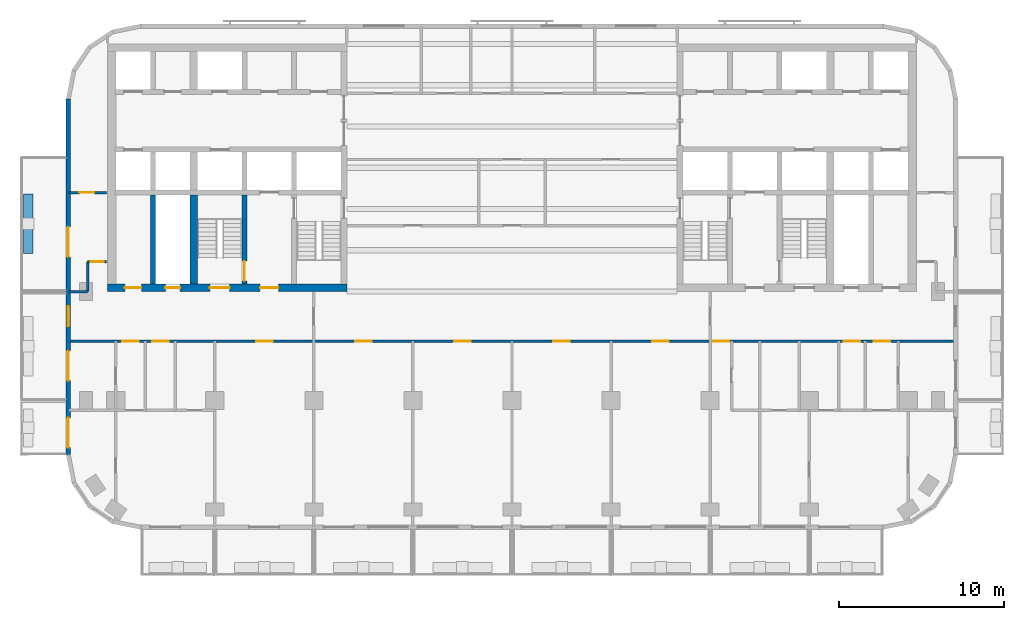
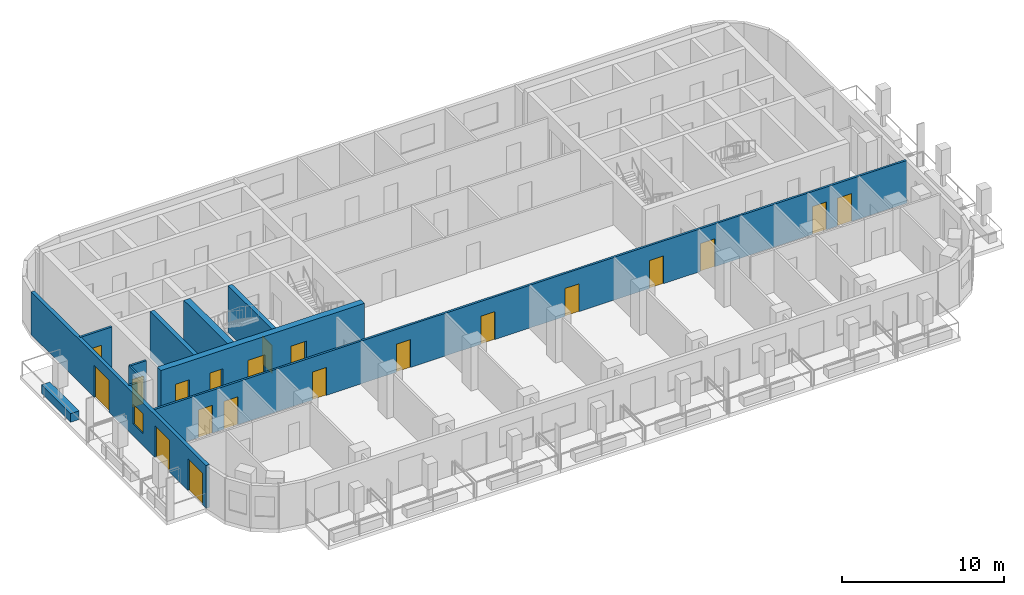
# One storey, part 3 of 11: 20 doors, 11 walls, 1 window, 21 openings.
"""IFC4 building model written with IfcOpenShell, lengths in metres."""

from ifc_helpers import new_model, si_unit, direction, frame, frame_2d, origin, place, context, subcontext, project, spatial, rectangle, extrude, material, layer, layer_set, type_object, element, fill, save


model = new_model("IFC4")

# Units and contexts
model_context = context("Model", 3, precision=1e-05, world=origin(), true_north=direction((0.0, 1.0)))
body_context = subcontext(model_context, "Body", "Model", "MODEL_VIEW")
ifc_project = project(units=[si_unit("LENGTHUNIT", "METRE"), si_unit("AREAUNIT", "SQUARE_METRE"), si_unit("VOLUMEUNIT", "CUBIC_METRE"), si_unit("PLANEANGLEUNIT", "RADIAN"), si_unit("MASSUNIT", "GRAM", prefix="KILO")], contexts=[model_context])

# Site, building, storey
site_placement = place(None, origin())
site = spatial("IfcSite", under=ifc_project, at=site_placement, CompositionType="ELEMENT")
building_placement = place(site_placement, origin())
building = spatial("IfcBuilding", under=site, at=building_placement, Name="Torana Hotel and Residences", CompositionType="ELEMENT")
storey_placement = place(building_placement, frame((0.0, 0.0, 194.10009765625)))
storey = spatial("IfcBuildingStorey", under=building, at=storey_placement, Name="L50", CompositionType="ELEMENT", Elevation=194.10009765625)

# Wall, opening, door
ifc_material_1 = material(Name="Concrete C70/85", Category="concrete")
ifc_layer_1 = layer(ifc_material_1, 0.300048828125)
ifc_layer_set_1 = layer_set([ifc_layer_1], Name="CORE WALL 300 C70/85")
wall_type_1 = type_object("IfcWallType", Name="CORE WALL 300 C70/85", PredefinedType="SHEAR", material=ifc_layer_set_1)
wall_1_placement = place(storey_placement, frame((-16.199951171875, -14.550048828125, 0.0), z_axis=(0.0, 0.0, 1.0), x_axis=(0.0, 1.0, 0.0)))
wall_1 = element("IfcWall", 1, at=wall_1_placement, inside=storey, type_object=wall_type_1, Name="Core wall W x6.05-band", PredefinedType="SHEAR", context=body_context, shape_type="SweptSolid", body=[
    extrude(rectangle(XDim=5.400146484375, YDim=0.300048828125, at=frame_2d((2.7001953125, 0.0))), origin(), (0.0, 0.0, 1.0), 3.5),
])
opening_1_placement = place(wall_1_placement, frame((0.199951171875, 0.0, 0.0)))
opening_1 = element("IfcOpeningElement", 2, at=opening_1_placement, cuts=wall_1, Name="Opening L50-13", PredefinedType="OPENING", context=body_context, shape_type="SweptSolid", body=[
    extrude(rectangle(XDim=1.199951171875, YDim=2.10009765625, at=frame_2d((0.60009765625, 1.050048828125))), frame((0.0, 0.159912109375, 0.0), z_axis=(0.0, -1.0, 0.0), x_axis=(1.0, 0.0, 0.0)), (0.0, 0.0, 1.0), 0.320068359375),
])
ifc_material_2 = material(Name="Steel S235", Category="steel")
door_type_1 = type_object("IfcDoorType", Name="STAIR FIRE DOOR D3 1200x2100", OperationType="SINGLE_SWING_LEFT", PredefinedType="DOOR", material=ifc_material_2)
door_1_placement = place(opening_1_placement, origin())
door_1 = element("IfcDoor", 3, at=door_1_placement, inside=storey, type_object=door_type_1, Name="Stair-B-lobby door L50", OperationType="SINGLE_SWING_RIGHT", OverallHeight=2.10009765625, OverallWidth=1.199951171875, PredefinedType="DOOR", context=body_context, shape_type="SweptSolid", body=[
    extrude(rectangle(XDim=1.199951171875, YDim=2.10009765625, at=frame_2d((0.60009765625, 1.050048828125))), frame((0.0, 0.02490234375, 0.0), z_axis=(0.0, -1.0, 0.0), x_axis=(1.0, 0.0, 0.0)), (0.0, 0.0, 1.0), 0.050048828125),
])
fill(opening_1, door_1)

# Wall
wall_2_placement = place(storey_placement, frame((-21.75, -14.550048828125, 0.0), z_axis=(0.0, 0.0, 1.0), x_axis=(0.0, 1.0, 0.0)))
element("IfcWall", 4, at=wall_2_placement, inside=storey, type_object=wall_type_1, Name="Core wall W mm-band", PredefinedType="SHEAR", context=body_context, shape_type="SweptSolid", body=[
    extrude(rectangle(XDim=5.400146484375, YDim=0.300048828125, at=frame_2d((2.7001953125, 0.0))), origin(), (0.0, 0.0, 1.0), 3.5),
])

# Wall, openings, doors
ifc_material_3 = material(Name="Concrete C70/85", Category="concrete")
ifc_layer_2 = layer(ifc_material_3, 0.449951171875)
ifc_layer_set_2 = layer_set([ifc_layer_2], Name="CORE WALL 450 C70/85")
wall_type_2 = type_object("IfcWallType", Name="CORE WALL 450 C70/85", PredefinedType="SHEAR", material=ifc_layer_set_2)
wall_3_placement = place(storey_placement, frame((-24.5, -14.77490234375, 0.0), z_axis=(0.0, 0.0, 1.0), x_axis=(1.0, 0.0, 0.0)))
wall_3 = element("IfcWall", 5, at=wall_3_placement, inside=storey, type_object=wall_type_2, Name="Core wall W front", PredefinedType="SHEAR", context=body_context, shape_type="SweptSolid", body=[
    extrude(rectangle(XDim=14.5, YDim=0.449951171875, at=frame_2d((7.25, 0.0))), origin(), (0.0, 0.0, 1.0), 3.5),
])
opening_2_placement = place(wall_3_placement, frame((6.199951171875, 0.0, 0.0)))
opening_2 = element("IfcOpeningElement", 6, at=opening_2_placement, cuts=wall_3, Name="Opening L50-04", PredefinedType="OPENING", context=body_context, shape_type="SweptSolid", body=[
    extrude(rectangle(XDim=1.199951171875, YDim=2.10009765625, at=frame_2d((0.60009765625, 1.050048828125))), frame((0.0, 0.23486328125, 0.0), z_axis=(0.0, -1.0, 0.0), x_axis=(1.0, 0.0, 0.0)), (0.0, 0.0, 1.0), 0.469970703125),
])
opening_3_placement = place(wall_3_placement, frame((9.25, 0.0, 0.0)))
opening_3 = element("IfcOpeningElement", 7, at=opening_3_placement, cuts=wall_3, Name="Opening L50-05", PredefinedType="OPENING", context=body_context, shape_type="SweptSolid", body=[
    extrude(rectangle(XDim=1.10009765625, YDim=2.10009765625, at=frame_2d((0.550048828125, 1.050048828125))), frame((0.0, 0.23486328125, 0.0), z_axis=(0.0, -1.0, 0.0), x_axis=(1.0, 0.0, 0.0)), (0.0, 0.0, 1.0), 0.469970703125),
])
opening_4_placement = place(wall_3_placement, frame((3.5, 0.0, 0.0)))
opening_4 = element("IfcOpeningElement", 8, at=opening_4_placement, cuts=wall_3, Name="Opening L50-06", PredefinedType="OPENING", context=body_context, shape_type="SweptSolid", body=[
    extrude(rectangle(XDim=0.89990234375, YDim=2.10009765625, at=frame_2d((0.449951171875, 1.050048828125))), frame((0.0, 0.23486328125, 0.0), z_axis=(0.0, -1.0, 0.0), x_axis=(1.0, 0.0, 0.0)), (0.0, 0.0, 1.0), 0.469970703125),
])
opening_5_placement = place(wall_3_placement, frame((1.050048828125, 0.0, 0.0)))
opening_5 = element("IfcOpeningElement", 9, at=opening_5_placement, cuts=wall_3, Name="Opening L50-07", PredefinedType="OPENING", context=body_context, shape_type="SweptSolid", body=[
    extrude(rectangle(XDim=1.0, YDim=2.10009765625, at=frame_2d((0.5, 1.050048828125))), frame((0.0, 0.23486328125, 0.0), z_axis=(0.0, -1.0, 0.0), x_axis=(1.0, 0.0, 0.0)), (0.0, 0.0, 1.0), 0.469970703125),
])
ifc_material_4 = material(Name="Steel S235", Category="steel")
door_type_2 = type_object("IfcDoorType", Name="CORE ROOM FIRE DOOR D14 1000x2100", OperationType="SINGLE_SWING_LEFT", PredefinedType="DOOR", material=ifc_material_4)
door_2_placement = place(opening_5_placement, origin())
door_2 = element("IfcDoor", 10, at=door_2_placement, inside=storey, type_object=door_type_2, Name="M-Room door L50", OperationType="SINGLE_SWING_RIGHT", OverallHeight=2.10009765625, OverallWidth=1.0, PredefinedType="DOOR", context=body_context, shape_type="SweptSolid", body=[
    extrude(rectangle(XDim=1.0, YDim=2.10009765625, at=frame_2d((0.5, 1.050048828125))), frame((0.0, 0.02490234375, 0.0), z_axis=(0.0, -1.0, 0.0), x_axis=(1.0, 0.0, 0.0)), (0.0, 0.0, 1.0), 0.050048828125),
])
fill(opening_5, door_2)
ifc_material_5 = material(Name="Steel S235", Category="steel")
door_type_3 = type_object("IfcDoorType", Name="FIRE-FIGHTING LOBBY DOOR D8 1100x2100", OperationType="SINGLE_SWING_LEFT", PredefinedType="DOOR", material=ifc_material_5)
door_3_placement = place(opening_3_placement, origin())
door_3 = element("IfcDoor", 11, at=door_3_placement, inside=storey, type_object=door_type_3, Name="FF-lobby door L50", OperationType="SINGLE_SWING_RIGHT", OverallHeight=2.10009765625, OverallWidth=1.10009765625, PredefinedType="DOOR", context=body_context, shape_type="SweptSolid", body=[
    extrude(rectangle(XDim=1.10009765625, YDim=2.10009765625, at=frame_2d((0.550048828125, 1.050048828125))), frame((0.0, 0.02490234375, 0.0), z_axis=(0.0, -1.0, 0.0), x_axis=(1.0, 0.0, 0.0)), (0.0, 0.0, 1.0), 0.050048828125),
])
fill(opening_3, door_3)
ifc_material_6 = material(Name="Steel S235", Category="steel")
door_type_4 = type_object("IfcDoorType", Name="RISER ACCESS DOOR D5 900x2100", OperationType="SINGLE_SWING_LEFT", PredefinedType="DOOR", material=ifc_material_6)
door_4_placement = place(opening_4_placement, origin())
door_4 = element("IfcDoor", 12, at=door_4_placement, inside=storey, type_object=door_type_4, Name="M-Riser door L50", OperationType="SINGLE_SWING_RIGHT", OverallHeight=2.10009765625, OverallWidth=0.89990234375, PredefinedType="DOOR", context=body_context, shape_type="SweptSolid", body=[
    extrude(rectangle(XDim=0.89990234375, YDim=2.10009765625, at=frame_2d((0.449951171875, 1.050048828125))), frame((0.0, 0.02490234375, 0.0), z_axis=(0.0, -1.0, 0.0), x_axis=(1.0, 0.0, 0.0)), (0.0, 0.0, 1.0), 0.050048828125),
])
fill(opening_4, door_4)
door_5_placement = place(opening_2_placement, origin())
door_5 = element("IfcDoor", 13, at=door_5_placement, inside=storey, type_object=door_type_1, Name="Stair-B door L50", OperationType="SINGLE_SWING_RIGHT", OverallHeight=2.10009765625, OverallWidth=1.199951171875, PredefinedType="DOOR", context=body_context, shape_type="SweptSolid", body=[
    extrude(rectangle(XDim=1.199951171875, YDim=2.10009765625, at=frame_2d((0.60009765625, 1.050048828125))), frame((0.0, 0.02490234375, 0.0), z_axis=(0.0, -1.0, 0.0), x_axis=(1.0, 0.0, 0.0)), (0.0, 0.0, 1.0), 0.050048828125),
])
fill(opening_2, door_5)

# Wall
wall_4_placement = place(storey_placement, frame((-19.27490234375, -14.550048828125, 0.0), z_axis=(0.0, 0.0, 1.0), x_axis=(0.0, 1.0, 0.0)))
element("IfcWall", 14, at=wall_4_placement, inside=storey, type_object=wall_type_2, Name="Core wall W hm-band", PredefinedType="SHEAR", context=body_context, shape_type="SweptSolid", body=[
    extrude(rectangle(XDim=5.400146484375, YDim=0.449951171875, at=frame_2d((2.7001953125, 0.0))), origin(), (0.0, 0.0, 1.0), 3.5),
])

# Wall, openings, doors, window
ifc_material_7 = material(Name="Black aluminium composite panel", Category="aluminium")
ifc_layer_3 = layer(ifc_material_7, 0.00390625, Name="Cladding", Category="cladding")
ifc_material_8 = material(Name="Ventilated air cavity")
ifc_layer_4 = layer(ifc_material_8, 0.0400390625, Name="Ventilated cavity", Category="cavity")
ifc_material_9 = material(Name="Mineral wool insulation")
ifc_layer_5 = layer(ifc_material_9, 0.090087890625, Name="Insulation", Category="insulation")
ifc_material_10 = material(Name="Steel S280GD", Category="steel")
ifc_layer_6 = layer(ifc_material_10, 0.092041015625, Name="Steel stud frame", Category="structure")
ifc_material_11 = material(Name="Fire rated plasterboard")
ifc_layer_7 = layer(ifc_material_11, 0.011962890625, Name="Inner board", Category="finish")
ifc_layer_8 = layer(ifc_material_11, 0.011962890625, Name="Second board", Category="finish")
ifc_layer_set_3 = layer_set([ifc_layer_3, ifc_layer_4, ifc_layer_5, ifc_layer_6, ifc_layer_7, ifc_layer_8], Name="EW1 EXTERNAL WALL BLACK METAL CLAD 250")
wall_type_3 = type_object("IfcWallType", Name="EW1 EXTERNAL WALL BLACK METAL CLAD 250", PredefinedType="SOLIDWALL", material=ifc_layer_set_3)
wall_5_placement = place(storey_placement, frame((-26.875, -3.32470703125, 0.0), z_axis=(0.0, 0.0, 1.0), x_axis=(0.0, -1.0, 0.0)))
wall_5 = element("IfcWall", 15, at=wall_5_placement, inside=storey, type_object=wall_type_3, Name="External wall L50 e0.9", PredefinedType="SOLIDWALL", context=body_context, shape_type="SweptSolid", body=[
    extrude(rectangle(XDim=21.55078125, YDim=0.25, at=frame_2d((10.775390625, 0.0))), origin(), (0.0, 0.0, 1.0), 3.219970703125),
])
opening_6_placement = place(wall_5_placement, frame((7.775390625, 0.0, 0.0)))
opening_6 = element("IfcOpeningElement", 16, at=opening_6_placement, cuts=wall_5, Name="Opening L50-E12", PredefinedType="OPENING", context=body_context, shape_type="SweptSolid", body=[
    extrude(rectangle(XDim=1.800048828125, YDim=2.39990234375, at=frame_2d((0.89990234375, 1.199951171875))), frame((0.0, 0.135009765625, 0.0), z_axis=(0.0, -1.0, 0.0), x_axis=(1.0, 0.0, 0.0)), (0.0, 0.0, 1.0), 0.27001953125),
])
opening_7_placement = place(wall_5_placement, frame((12.575439453125, 0.0, 0.89990234375)))
opening_7 = element("IfcOpeningElement", 17, at=opening_7_placement, cuts=wall_5, Name="Opening W5", PredefinedType="OPENING", context=body_context, shape_type="SweptSolid", body=[
    extrude(rectangle(XDim=1.199951171875, YDim=1.5, at=frame_2d((0.60009765625, 0.75))), frame((0.0, 0.135009765625, 0.0), z_axis=(0.0, -1.0, 0.0), x_axis=(1.0, 0.0, 0.0)), (0.0, 0.0, 1.0), 0.27001953125),
])
opening_8_placement = place(wall_5_placement, frame((15.275390625, 0.0, 0.0)))
opening_8 = element("IfcOpeningElement", 18, at=opening_8_placement, cuts=wall_5, Name="Opening L50-E13", PredefinedType="OPENING", context=body_context, shape_type="SweptSolid", body=[
    extrude(rectangle(XDim=1.800048828125, YDim=2.39990234375, at=frame_2d((0.89990234375, 1.199951171875))), frame((0.0, 0.135009765625, 0.0), z_axis=(0.0, -1.0, 0.0), x_axis=(1.0, 0.0, 0.0)), (0.0, 0.0, 1.0), 0.27001953125),
])
opening_9_placement = place(wall_5_placement, frame((19.325439453125, 0.0, 0.0)))
opening_9 = element("IfcOpeningElement", 19, at=opening_9_placement, cuts=wall_5, Name="Opening L50-E14", PredefinedType="OPENING", context=body_context, shape_type="SweptSolid", body=[
    extrude(rectangle(XDim=1.800048828125, YDim=2.39990234375, at=frame_2d((0.89990234375, 1.199951171875))), frame((0.0, 0.135009765625, 0.0), z_axis=(0.0, -1.0, 0.0), x_axis=(1.0, 0.0, 0.0)), (0.0, 0.0, 1.0), 0.27001953125),
])
ifc_material_12 = material(Name="Dark glass in black aluminium frame", Category="aluminium")
door_type_5 = type_object("IfcDoorType", Name="DB1 BALCONY DOOR 1800x2400", OperationType="DOUBLE_DOOR_SINGLE_SWING", PredefinedType="DOOR", material=ifc_material_12)
door_6_placement = place(opening_6_placement, origin())
door_6 = element("IfcDoor", 20, at=door_6_placement, inside=storey, type_object=door_type_5, Name="Balcony door L50", OperationType="DOUBLE_DOOR_SINGLE_SWING", OverallHeight=2.39990234375, OverallWidth=1.800048828125, PredefinedType="DOOR", context=body_context, shape_type="SweptSolid", body=[
    extrude(rectangle(XDim=1.800048828125, YDim=2.39990234375, at=frame_2d((0.89990234375, 1.199951171875))), frame((0.0, 0.02490234375, 0.0), z_axis=(0.0, -1.0, 0.0), x_axis=(1.0, 0.0, 0.0)), (0.0, 0.0, 1.0), 0.050048828125),
])
fill(opening_6, door_6)
door_7_placement = place(opening_8_placement, origin())
door_7 = element("IfcDoor", 21, at=door_7_placement, inside=storey, type_object=door_type_5, Name="Balcony door L50", OperationType="DOUBLE_DOOR_SINGLE_SWING", OverallHeight=2.39990234375, OverallWidth=1.800048828125, PredefinedType="DOOR", context=body_context, shape_type="SweptSolid", body=[
    extrude(rectangle(XDim=1.800048828125, YDim=2.39990234375, at=frame_2d((0.89990234375, 1.199951171875))), frame((0.0, 0.02490234375, 0.0), z_axis=(0.0, -1.0, 0.0), x_axis=(1.0, 0.0, 0.0)), (0.0, 0.0, 1.0), 0.050048828125),
])
fill(opening_8, door_7)
door_8_placement = place(opening_9_placement, origin())
door_8 = element("IfcDoor", 22, at=door_8_placement, inside=storey, type_object=door_type_5, Name="Balcony door L50", OperationType="DOUBLE_DOOR_SINGLE_SWING", OverallHeight=2.39990234375, OverallWidth=1.800048828125, PredefinedType="DOOR", context=body_context, shape_type="SweptSolid", body=[
    extrude(rectangle(XDim=1.800048828125, YDim=2.39990234375, at=frame_2d((0.89990234375, 1.199951171875))), frame((0.0, 0.02490234375, 0.0), z_axis=(0.0, -1.0, 0.0), x_axis=(1.0, 0.0, 0.0)), (0.0, 0.0, 1.0), 0.050048828125),
])
fill(opening_9, door_8)
ifc_material_13 = material(Name="Dark glass in black aluminium frame", Category="aluminium")
window_type = type_object("IfcWindowType", Name="W5 CORNER FACET WINDOW 1200x1500", PartitioningType="SINGLE_PANEL", PredefinedType="WINDOW", material=ifc_material_13)
window_placement = place(opening_7_placement, origin())
window = element("IfcWindow", 23, at=window_placement, inside=storey, type_object=window_type, Name="Window L50", OverallHeight=1.5, OverallWidth=1.199951171875, PartitioningType="SINGLE_PANEL", PredefinedType="WINDOW", context=body_context, shape_type="SweptSolid", body=[
    extrude(rectangle(XDim=1.199951171875, YDim=1.5, at=frame_2d((0.60009765625, 0.75))), frame((0.0, 0.030029296875, 0.0), z_axis=(0.0, -1.0, 0.0), x_axis=(1.0, 0.0, 0.0)), (0.0, 0.0, 1.0), 0.06005859375),
])
fill(opening_7, window)

# Wall
ifc_material_14 = material(Name="Gypsum plaster")
ifc_layer_9 = layer(ifc_material_14, 0.014892578125, Name="Plaster", Category="finish")
ifc_material_15 = material(Name="Concrete blockwork", Category="masonry")
ifc_layer_10 = layer(ifc_material_15, 0.1201171875, Name="Blockwork", Category="structure")
ifc_layer_11 = layer(ifc_material_14, 0.014892578125, Name="Plaster", Category="finish")
ifc_layer_set_4 = layer_set([ifc_layer_9, ifc_layer_10, ifc_layer_11], Name="FIRE PARTITION 150 BLOCKWORK")
wall_type_4 = type_object("IfcWallType", Name="FIRE PARTITION 150 BLOCKWORK", PredefinedType="PARTITIONING", material=ifc_layer_set_4)
wall_6_placement = place(storey_placement, frame((-25.699951171875, -15.0, 0.0), z_axis=(0.0, 0.0, 1.0), x_axis=(0.0, 1.0, 0.0)))
element("IfcWall", 24, at=wall_6_placement, inside=storey, type_object=wall_type_4, Name="Partition L50", PredefinedType="PARTITIONING", context=body_context, shape_type="SweptSolid", body=[
    extrude(rectangle(XDim=1.800048828125, YDim=0.14990234375, at=frame_2d((0.89990234375, 0.0))), origin(), (0.0, 0.0, 1.0), 3.219970703125),
])

# Wall, openings, doors
wall_7_placement = place(storey_placement, frame((-26.820068359375, -18.0, 0.0), z_axis=(0.0, 0.0, 1.0), x_axis=(1.0, 0.0, 0.0)))
wall_7 = element("IfcWall", 25, at=wall_7_placement, inside=storey, type_object=wall_type_4, Name="Partition L50", PredefinedType="PARTITIONING", context=body_context, shape_type="SweptSolid", body=[
    extrude(rectangle(XDim=53.64013671875, YDim=0.14990234375, at=frame_2d((26.820068359375, 0.0))), origin(), (0.0, 0.0, 1.0), 3.219970703125),
])
opening_10_placement = place(wall_7_placement, frame((11.320068359375, 0.0, 0.0)))
opening_10 = element("IfcOpeningElement", 26, at=opening_10_placement, cuts=wall_7, Name="Opening L50-28", PredefinedType="OPENING", context=body_context, shape_type="SweptSolid", body=[
    extrude(rectangle(XDim=1.0, YDim=2.10009765625, at=frame_2d((0.5, 1.050048828125))), frame((0.0, 0.0849609375, 0.0), z_axis=(0.0, -1.0, 0.0), x_axis=(1.0, 0.0, 0.0)), (0.0, 0.0, 1.0), 0.169921875),
])
opening_11_placement = place(wall_7_placement, frame((3.219970703125, 0.0, 0.0)))
opening_11 = element("IfcOpeningElement", 27, at=opening_11_placement, cuts=wall_7, Name="Opening L50-29", PredefinedType="OPENING", context=body_context, shape_type="SweptSolid", body=[
    extrude(rectangle(XDim=1.0, YDim=2.10009765625, at=frame_2d((0.5, 1.050048828125))), frame((0.0, 0.0849609375, 0.0), z_axis=(0.0, -1.0, 0.0), x_axis=(1.0, 0.0, 0.0)), (0.0, 0.0, 1.0), 0.169921875),
])
opening_12_placement = place(wall_7_placement, frame((5.02001953125, 0.0, 0.0)))
opening_12 = element("IfcOpeningElement", 28, at=opening_12_placement, cuts=wall_7, Name="Opening L50-30", PredefinedType="OPENING", context=body_context, shape_type="SweptSolid", body=[
    extrude(rectangle(XDim=1.0, YDim=2.10009765625, at=frame_2d((0.5, 1.050048828125))), frame((0.0, 0.0849609375, 0.0), z_axis=(0.0, -1.0, 0.0), x_axis=(1.0, 0.0, 0.0)), (0.0, 0.0, 1.0), 0.169921875),
])
opening_13_placement = place(wall_7_placement, frame((38.969970703125, 0.0, 0.0)))
opening_13 = element("IfcOpeningElement", 29, at=opening_13_placement, cuts=wall_7, Name="Opening L50-33", PredefinedType="OPENING", context=body_context, shape_type="SweptSolid", body=[
    extrude(rectangle(XDim=1.0, YDim=2.10009765625, at=frame_2d((0.5, 1.050048828125))), frame((0.0, 0.0849609375, 0.0), z_axis=(0.0, -1.0, 0.0), x_axis=(1.0, 0.0, 0.0)), (0.0, 0.0, 1.0), 0.169921875),
])
opening_14_placement = place(wall_7_placement, frame((48.719970703125, 0.0, 0.0)))
opening_14 = element("IfcOpeningElement", 30, at=opening_14_placement, cuts=wall_7, Name="Opening L50-34", PredefinedType="OPENING", context=body_context, shape_type="SweptSolid", body=[
    extrude(rectangle(XDim=1.0, YDim=2.10009765625, at=frame_2d((0.5, 1.050048828125))), frame((0.0, 0.0849609375, 0.0), z_axis=(0.0, -1.0, 0.0), x_axis=(1.0, 0.0, 0.0)), (0.0, 0.0, 1.0), 0.169921875),
])
opening_15_placement = place(wall_7_placement, frame((46.919921875, 0.0, 0.0)))
opening_15 = element("IfcOpeningElement", 31, at=opening_15_placement, cuts=wall_7, Name="Opening L50-35", PredefinedType="OPENING", context=body_context, shape_type="SweptSolid", body=[
    extrude(rectangle(XDim=1.0, YDim=2.10009765625, at=frame_2d((0.5, 1.050048828125))), frame((0.0, 0.0849609375, 0.0), z_axis=(0.0, -1.0, 0.0), x_axis=(1.0, 0.0, 0.0)), (0.0, 0.0, 1.0), 0.169921875),
])
opening_16_placement = place(wall_7_placement, frame((17.320068359375, 0.0, 0.0)))
opening_16 = element("IfcOpeningElement", 32, at=opening_16_placement, cuts=wall_7, Name="Opening L50-38", PredefinedType="OPENING", context=body_context, shape_type="SweptSolid", body=[
    extrude(rectangle(XDim=1.0, YDim=2.10009765625, at=frame_2d((0.5, 1.050048828125))), frame((0.0, 0.0849609375, 0.0), z_axis=(0.0, -1.0, 0.0), x_axis=(1.0, 0.0, 0.0)), (0.0, 0.0, 1.0), 0.169921875),
])
opening_17_placement = place(wall_7_placement, frame((23.320068359375, 0.0, 0.0)))
opening_17 = element("IfcOpeningElement", 33, at=opening_17_placement, cuts=wall_7, Name="Opening L50-39", PredefinedType="OPENING", context=body_context, shape_type="SweptSolid", body=[
    extrude(rectangle(XDim=1.0, YDim=2.10009765625, at=frame_2d((0.5, 1.050048828125))), frame((0.0, 0.0849609375, 0.0), z_axis=(0.0, -1.0, 0.0), x_axis=(1.0, 0.0, 0.0)), (0.0, 0.0, 1.0), 0.169921875),
])
opening_18_placement = place(wall_7_placement, frame((29.320068359375, 0.0, 0.0)))
opening_18 = element("IfcOpeningElement", 34, at=opening_18_placement, cuts=wall_7, Name="Opening L50-40", PredefinedType="OPENING", context=body_context, shape_type="SweptSolid", body=[
    extrude(rectangle(XDim=1.0, YDim=2.10009765625, at=frame_2d((0.5, 1.050048828125))), frame((0.0, 0.0849609375, 0.0), z_axis=(0.0, -1.0, 0.0), x_axis=(1.0, 0.0, 0.0)), (0.0, 0.0, 1.0), 0.169921875),
])
opening_19_placement = place(wall_7_placement, frame((35.320068359375, 0.0, 0.0)))
opening_19 = element("IfcOpeningElement", 35, at=opening_19_placement, cuts=wall_7, Name="Opening L50-41", PredefinedType="OPENING", context=body_context, shape_type="SweptSolid", body=[
    extrude(rectangle(XDim=1.0, YDim=2.10009765625, at=frame_2d((0.5, 1.050048828125))), frame((0.0, 0.0849609375, 0.0), z_axis=(0.0, -1.0, 0.0), x_axis=(1.0, 0.0, 0.0)), (0.0, 0.0, 1.0), 0.169921875),
])
ifc_material_16 = material(Name="Steel S235", Category="steel")
door_type_6 = type_object("IfcDoorType", Name="ENTRY FIRE DOOR D6 1000x2100", OperationType="SINGLE_SWING_LEFT", PredefinedType="DOOR", material=ifc_material_16)
door_9_placement = place(opening_10_placement, frame((0.5, 0.0, 0.0), z_axis=(0.0, 0.0, 1.0), x_axis=(-1.0, 0.0, 0.0)))
door_9 = element("IfcDoor", 36, at=door_9_placement, inside=storey, type_object=door_type_6, Name="Door L50", OperationType="SINGLE_SWING_LEFT", OverallHeight=2.10009765625, OverallWidth=1.0, PredefinedType="DOOR", context=body_context, shape_type="SweptSolid", body=[
    extrude(rectangle(XDim=1.0, YDim=2.10009765625, at=frame_2d((0.0, 1.050048828125))), frame((0.0, -0.02490234375, 0.0), z_axis=(0.0, 1.0, 0.0), x_axis=(-1.0, 0.0, 0.0)), (0.0, 0.0, 1.0), 0.050048828125),
])
fill(opening_10, door_9)
door_10_placement = place(opening_11_placement, origin())
door_10 = element("IfcDoor", 37, at=door_10_placement, inside=storey, type_object=door_type_6, Name="Door L50", OperationType="SINGLE_SWING_RIGHT", OverallHeight=2.10009765625, OverallWidth=1.0, PredefinedType="DOOR", context=body_context, shape_type="SweptSolid", body=[
    extrude(rectangle(XDim=1.0, YDim=2.10009765625, at=frame_2d((0.5, 1.050048828125))), frame((0.0, 0.02490234375, 0.0), z_axis=(0.0, -1.0, 0.0), x_axis=(1.0, 0.0, 0.0)), (0.0, 0.0, 1.0), 0.050048828125),
])
fill(opening_11, door_10)
door_11_placement = place(opening_12_placement, frame((0.5, 0.0, 0.0), z_axis=(0.0, 0.0, 1.0), x_axis=(-1.0, 0.0, 0.0)))
door_11 = element("IfcDoor", 38, at=door_11_placement, inside=storey, type_object=door_type_6, Name="Door L50", OperationType="SINGLE_SWING_LEFT", OverallHeight=2.10009765625, OverallWidth=1.0, PredefinedType="DOOR", context=body_context, shape_type="SweptSolid", body=[
    extrude(rectangle(XDim=1.0, YDim=2.10009765625, at=frame_2d((0.0, 1.050048828125))), frame((0.0, -0.02490234375, 0.0), z_axis=(0.0, 1.0, 0.0), x_axis=(-1.0, 0.0, 0.0)), (0.0, 0.0, 1.0), 0.050048828125),
])
fill(opening_12, door_11)
door_12_placement = place(opening_13_placement, frame((0.5, 0.0, 0.0), z_axis=(0.0, 0.0, 1.0), x_axis=(-1.0, 0.0, 0.0)))
door_12 = element("IfcDoor", 39, at=door_12_placement, inside=storey, type_object=door_type_6, Name="Door L50", OperationType="SINGLE_SWING_LEFT", OverallHeight=2.10009765625, OverallWidth=1.0, PredefinedType="DOOR", context=body_context, shape_type="SweptSolid", body=[
    extrude(rectangle(XDim=1.0, YDim=2.10009765625, at=frame_2d((0.0, 1.050048828125))), frame((0.0, -0.02490234375, 0.0), z_axis=(0.0, 1.0, 0.0), x_axis=(-1.0, 0.0, 0.0)), (0.0, 0.0, 1.0), 0.050048828125),
])
fill(opening_13, door_12)
door_13_placement = place(opening_14_placement, origin())
door_13 = element("IfcDoor", 40, at=door_13_placement, inside=storey, type_object=door_type_6, Name="Door L50", OperationType="SINGLE_SWING_RIGHT", OverallHeight=2.10009765625, OverallWidth=1.0, PredefinedType="DOOR", context=body_context, shape_type="SweptSolid", body=[
    extrude(rectangle(XDim=1.0, YDim=2.10009765625, at=frame_2d((0.5, 1.050048828125))), frame((0.0, 0.02490234375, 0.0), z_axis=(0.0, -1.0, 0.0), x_axis=(1.0, 0.0, 0.0)), (0.0, 0.0, 1.0), 0.050048828125),
])
fill(opening_14, door_13)
door_14_placement = place(opening_15_placement, frame((0.5, 0.0, 0.0), z_axis=(0.0, 0.0, 1.0), x_axis=(-1.0, 0.0, 0.0)))
door_14 = element("IfcDoor", 41, at=door_14_placement, inside=storey, type_object=door_type_6, Name="Door L50", OperationType="SINGLE_SWING_LEFT", OverallHeight=2.10009765625, OverallWidth=1.0, PredefinedType="DOOR", context=body_context, shape_type="SweptSolid", body=[
    extrude(rectangle(XDim=1.0, YDim=2.10009765625, at=frame_2d((0.0, 1.050048828125))), frame((0.0, -0.02490234375, 0.0), z_axis=(0.0, 1.0, 0.0), x_axis=(-1.0, 0.0, 0.0)), (0.0, 0.0, 1.0), 0.050048828125),
])
fill(opening_15, door_14)
door_15_placement = place(opening_16_placement, frame((0.5, 0.0, 0.0), z_axis=(0.0, 0.0, 1.0), x_axis=(-1.0, 0.0, 0.0)))
door_15 = element("IfcDoor", 42, at=door_15_placement, inside=storey, type_object=door_type_6, Name="Door L50", OperationType="SINGLE_SWING_LEFT", OverallHeight=2.10009765625, OverallWidth=1.0, PredefinedType="DOOR", context=body_context, shape_type="SweptSolid", body=[
    extrude(rectangle(XDim=1.0, YDim=2.10009765625, at=frame_2d((0.0, 1.050048828125))), frame((0.0, -0.02490234375, 0.0), z_axis=(0.0, 1.0, 0.0), x_axis=(-1.0, 0.0, 0.0)), (0.0, 0.0, 1.0), 0.050048828125),
])
fill(opening_16, door_15)
door_16_placement = place(opening_17_placement, frame((0.5, 0.0, 0.0), z_axis=(0.0, 0.0, 1.0), x_axis=(-1.0, 0.0, 0.0)))
door_16 = element("IfcDoor", 43, at=door_16_placement, inside=storey, type_object=door_type_6, Name="Door L50", OperationType="SINGLE_SWING_LEFT", OverallHeight=2.10009765625, OverallWidth=1.0, PredefinedType="DOOR", context=body_context, shape_type="SweptSolid", body=[
    extrude(rectangle(XDim=1.0, YDim=2.10009765625, at=frame_2d((0.0, 1.050048828125))), frame((0.0, -0.02490234375, 0.0), z_axis=(0.0, 1.0, 0.0), x_axis=(-1.0, 0.0, 0.0)), (0.0, 0.0, 1.0), 0.050048828125),
])
fill(opening_17, door_16)
door_17_placement = place(opening_18_placement, frame((0.5, 0.0, 0.0), z_axis=(0.0, 0.0, 1.0), x_axis=(-1.0, 0.0, 0.0)))
door_17 = element("IfcDoor", 44, at=door_17_placement, inside=storey, type_object=door_type_6, Name="Door L50", OperationType="SINGLE_SWING_LEFT", OverallHeight=2.10009765625, OverallWidth=1.0, PredefinedType="DOOR", context=body_context, shape_type="SweptSolid", body=[
    extrude(rectangle(XDim=1.0, YDim=2.10009765625, at=frame_2d((0.0, 1.050048828125))), frame((0.0, -0.02490234375, 0.0), z_axis=(0.0, 1.0, 0.0), x_axis=(-1.0, 0.0, 0.0)), (0.0, 0.0, 1.0), 0.050048828125),
])
fill(opening_18, door_17)
door_18_placement = place(opening_19_placement, frame((0.5, 0.0, 0.0), z_axis=(0.0, 0.0, 1.0), x_axis=(-1.0, 0.0, 0.0)))
door_18 = element("IfcDoor", 45, at=door_18_placement, inside=storey, type_object=door_type_6, Name="Door L50", OperationType="SINGLE_SWING_LEFT", OverallHeight=2.10009765625, OverallWidth=1.0, PredefinedType="DOOR", context=body_context, shape_type="SweptSolid", body=[
    extrude(rectangle(XDim=1.0, YDim=2.10009765625, at=frame_2d((0.0, 1.050048828125))), frame((0.0, -0.02490234375, 0.0), z_axis=(0.0, 1.0, 0.0), x_axis=(-1.0, 0.0, 0.0)), (0.0, 0.0, 1.0), 0.050048828125),
])
fill(opening_19, door_18)

# Wall
wall_8_placement = place(storey_placement, frame((-26.820068359375, -15.0, 0.0), z_axis=(0.0, 0.0, 1.0), x_axis=(1.0, 0.0, 0.0)))
element("IfcWall", 46, at=wall_8_placement, inside=storey, type_object=wall_type_4, Name="Partition L50", PredefinedType="PARTITIONING", context=body_context, shape_type="SweptSolid", body=[
    extrude(rectangle(XDim=1.1201171875, YDim=0.14990234375, at=frame_2d((0.56005859375, 0.0))), origin(), (0.0, 0.0, 1.0), 3.219970703125),
])

# Wall, opening, door
wall_9_placement = place(storey_placement, frame((-25.699951171875, -13.199951171875, 0.0), z_axis=(0.0, 0.0, 1.0), x_axis=(1.0, 0.0, 0.0)))
wall_9 = element("IfcWall", 47, at=wall_9_placement, inside=storey, type_object=wall_type_4, Name="Partition L50", PredefinedType="PARTITIONING", context=body_context, shape_type="SweptSolid", body=[
    extrude(rectangle(XDim=1.14990234375, YDim=0.14990234375, at=frame_2d((0.574951171875, 0.0))), origin(), (0.0, 0.0, 1.0), 3.219970703125),
])
opening_20_placement = place(wall_9_placement, frame((0.175048828125, 0.0, 0.0)))
opening_20 = element("IfcOpeningElement", 48, at=opening_20_placement, cuts=wall_9, Name="Opening L50-31", PredefinedType="OPENING", context=body_context, shape_type="SweptSolid", body=[
    extrude(rectangle(XDim=0.800048828125, YDim=2.10009765625, at=frame_2d((0.39990234375, 1.050048828125))), frame((0.0, 0.0849609375, 0.0), z_axis=(0.0, -1.0, 0.0), x_axis=(1.0, 0.0, 0.0)), (0.0, 0.0, 1.0), 0.169921875),
])
ifc_material_17 = material(Name="Steel S235", Category="steel")
door_type_7 = type_object("IfcDoorType", Name="STORE FIRE DOOR D16 800x2100", OperationType="SINGLE_SWING_LEFT", PredefinedType="DOOR", material=ifc_material_17)
door_19_placement = place(opening_20_placement, origin())
door_19 = element("IfcDoor", 49, at=door_19_placement, inside=storey, type_object=door_type_7, Name="Door L50", OperationType="SINGLE_SWING_LEFT", OverallHeight=2.10009765625, OverallWidth=0.800048828125, PredefinedType="DOOR", context=body_context, shape_type="SweptSolid", body=[
    extrude(rectangle(XDim=0.800048828125, YDim=2.10009765625, at=frame_2d((0.39990234375, 1.050048828125))), frame((0.0, 0.02490234375, 0.0), z_axis=(0.0, -1.0, 0.0), x_axis=(1.0, 0.0, 0.0)), (0.0, 0.0, 1.0), 0.050048828125),
])
fill(opening_20, door_19)

ifc_material_18 = material(Name="Gypsum plasterboard")
ifc_layer_12 = layer(ifc_material_18, 0.012451171875, Name="Plasterboard", Category="finish")
ifc_layer_13 = layer(ifc_material_18, 0.012451171875, Name="Plasterboard", Category="finish")
ifc_layer_14 = layer(ifc_material_10, 0.10009765625, Name="Steel studs with mineral wool", Category="insulation")
ifc_layer_15 = layer(ifc_material_18, 0.012451171875, Name="Plasterboard", Category="finish")
ifc_layer_16 = layer(ifc_material_18, 0.012451171875, Name="Plasterboard", Category="finish")
ifc_layer_set_5 = layer_set([ifc_layer_12, ifc_layer_13, ifc_layer_14, ifc_layer_15, ifc_layer_16], Name="PARTITION 150 PLASTERBOARD")
wall_type_5 = type_object("IfcWallType", Name="PARTITION 150 PLASTERBOARD", PredefinedType="PARTITIONING", material=ifc_layer_set_5)
wall_10_placement = place(storey_placement, frame((-26.820068359375, -9.0, 0.0), z_axis=(0.0, 0.0, 1.0), x_axis=(1.0, 0.0, 0.0)))
wall_10 = element("IfcWall", 50, at=wall_10_placement, inside=storey, type_object=wall_type_5, Name="Partition L50", PredefinedType="PARTITIONING", context=body_context, shape_type="SweptSolid", body=[
    extrude(rectangle(XDim=2.27001953125, YDim=0.14990234375, at=frame_2d((1.135009765625, 0.0))), origin(), (0.0, 0.0, 1.0), 3.219970703125),
])
opening_21_placement = place(wall_10_placement, frame((0.6201171875, 0.0, 0.0)))
opening_21 = element("IfcOpeningElement", 51, at=opening_21_placement, cuts=wall_10, Name="Opening L50-61", PredefinedType="OPENING", context=body_context, shape_type="SweptSolid", body=[
    extrude(rectangle(XDim=0.89990234375, YDim=2.10009765625, at=frame_2d((0.449951171875, 1.050048828125))), frame((0.0, 0.0849609375, 0.0), z_axis=(0.0, -1.0, 0.0), x_axis=(1.0, 0.0, 0.0)), (0.0, 0.0, 1.0), 0.169921875),
])
ifc_material_19 = material(Name="Timber door, oiled ash", Category="wood")
door_type_8 = type_object("IfcDoorType", Name="ROOM DOOR D7 900x2100", OperationType="SINGLE_SWING_LEFT", PredefinedType="DOOR", material=ifc_material_19)
door_20_placement = place(opening_21_placement, origin())
door_20 = element("IfcDoor", 52, at=door_20_placement, inside=storey, type_object=door_type_8, Name="Door L50", OperationType="SINGLE_SWING_RIGHT", OverallHeight=2.10009765625, OverallWidth=0.89990234375, PredefinedType="DOOR", context=body_context, shape_type="SweptSolid", body=[
    extrude(rectangle(XDim=0.89990234375, YDim=2.10009765625, at=frame_2d((0.449951171875, 1.050048828125))), frame((0.0, 0.02490234375, 0.0), z_axis=(0.0, -1.0, 0.0), x_axis=(1.0, 0.0, 0.0)), (0.0, 0.0, 1.0), 0.050048828125),
])
fill(opening_21, door_20)

# Wall
ifc_material_20 = material(Name="Concrete C40/50 precast", Category="concrete")
ifc_layer_17 = layer(ifc_material_20, 0.10009765625, Name="Planter shell", Category="structure")
ifc_material_21 = material(Name="Root resistant membrane")
ifc_layer_18 = layer(ifc_material_21, 0.00390625, Name="Waterproofing membrane", Category="membrane")
ifc_material_22 = material(Name="Drainage board with filter fleece")
ifc_layer_19 = layer(ifc_material_22, 0.02001953125, Name="Drainage board", Category="drainage")
ifc_material_23 = material(Name="Growing medium")
ifc_layer_20 = layer(ifc_material_23, 0.47607421875, Name="Planting substrate", Category="soil")
ifc_layer_set_6 = layer_set([ifc_layer_17, ifc_layer_18, ifc_layer_19, ifc_layer_20], Name="PL1 BALCONY PLANTER 600")
wall_type_6 = type_object("IfcWallType", Name="PL1 BALCONY PLANTER 600", PredefinedType="USERDEFINED", material=ifc_layer_set_6)
wall_11_placement = place(storey_placement, frame((-29.300048828125, -12.699951171875, 0.0), z_axis=(0.0, 0.0, 1.0), x_axis=(0.0, 1.0, 0.0)))
element("IfcWall", 53, at=wall_11_placement, inside=storey, type_object=wall_type_6, Name="Planter 11", ObjectType="PLANTER", PredefinedType="USERDEFINED", context=body_context, shape_type="SweptSolid", body=[
    extrude(rectangle(XDim=3.599853515625, YDim=0.60009765625, at=frame_2d((1.7998046875, 0.0))), origin(), (0.0, 0.0, 1.0), 0.64990234375),
])

save(model, "model.ifc")
